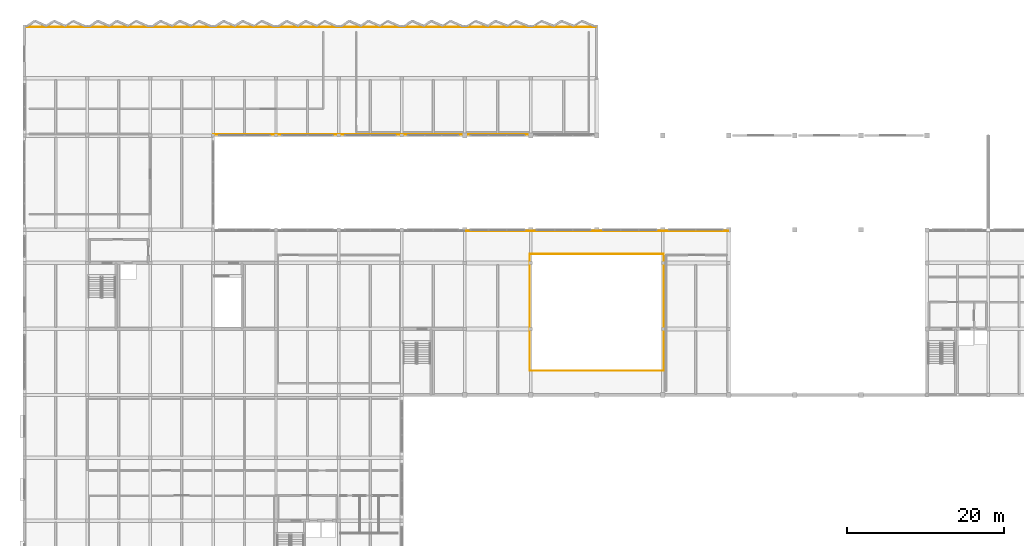
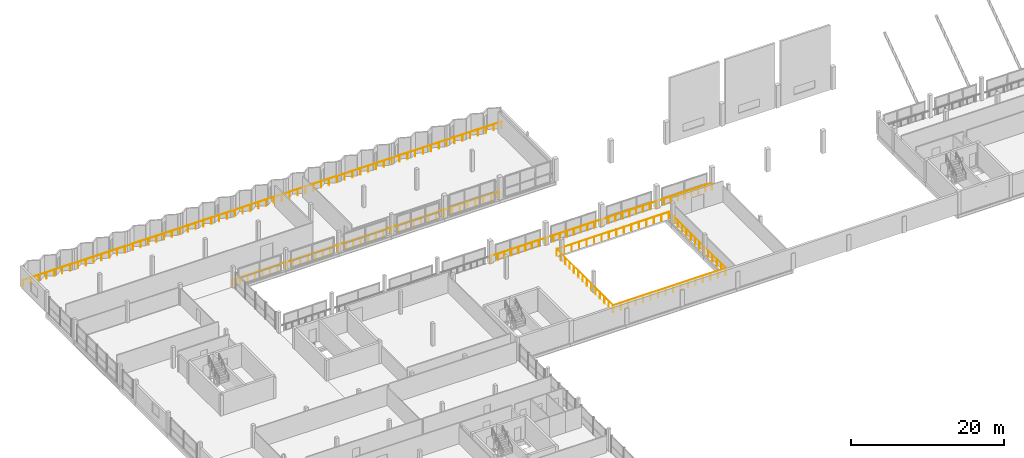
# One storey, part 47 of 51: 18 railings.
"""IFC4 building model written with IfcOpenShell, lengths in metres."""

from ifc_helpers import new_model, si_unit, direction, frame, origin, origin_2d, place, context, subcontext, project, spatial, circle, extrude, material, type_object, element, save


model = new_model("IFC4")

# Units and contexts
model_context = context("Model", 3, precision=1e-05, world=origin(), true_north=direction((0.0, 1.0)))
body_context = subcontext(model_context, "Body", "Model", "MODEL_VIEW")
ifc_project = project(units=[si_unit("LENGTHUNIT", "METRE"), si_unit("AREAUNIT", "SQUARE_METRE"), si_unit("VOLUMEUNIT", "CUBIC_METRE"), si_unit("PLANEANGLEUNIT", "RADIAN"), si_unit("MASSUNIT", "GRAM", prefix="KILO")], contexts=[model_context])

# Site, building, storey
site_placement = place(None, origin())
site = spatial("IfcSite", under=ifc_project, at=site_placement, CompositionType="ELEMENT")
building_placement = place(site_placement, origin())
building = spatial("IfcBuilding", under=site, at=building_placement, Name="Vharandega Faculty of Natural Sciences", CompositionType="ELEMENT")
storey_placement = place(building_placement, frame((0.0, 0.0, 14.39990234375)))
storey = spatial("IfcBuildingStorey", under=building, at=storey_placement, Name="L03", CompositionType="ELEMENT", Elevation=14.39990234375)

# Railings
ifc_material_1 = material(Name="Timber-capped steel and glass balustrade", Category="steel")
railing_type_1 = type_object("IfcRailingType", Name="Atrium Void Balustrade 1100", PredefinedType="BALUSTRADE", material=ifc_material_1)
railing_1_placement = place(storey_placement, frame((56.06494140625, 84.8798828125, 0.0)))
element("IfcRailing", 1, at=railing_1_placement, inside=storey, type_object=railing_type_1, Name="Atrium Glass Balustrade L03 #13", PredefinedType="BALUSTRADE", context=body_context, shape_type="SweptSolid", body=[
    extrude(circle(Radius=0.02392578125, at=origin_2d()), frame((0.0, 0.0, 1.076171875), z_axis=(1.0, 0.0, 0.0), x_axis=(0.0, 1.0, 0.0)), (0.0, 0.0, 1.0), 4.110107421875),
    extrude(circle(Radius=0.02099609375, at=origin_2d()), origin(), (0.0, 0.0, 1.0), 1.052001953125),
    extrude(circle(Radius=0.02099609375, at=origin_2d()), frame((1.027587890625, 0.0, 0.0)), (0.0, 0.0, 1.0), 1.052001953125),
    extrude(circle(Radius=0.02099609375, at=origin_2d()), frame((2.05517578125, 0.0, 0.0)), (0.0, 0.0, 1.0), 1.052001953125),
    extrude(circle(Radius=0.02099609375, at=origin_2d()), frame((3.08251953125, 0.0, 0.0)), (0.0, 0.0, 1.0), 1.052001953125),
    extrude(circle(Radius=0.02099609375, at=origin_2d()), frame((4.110107421875, 0.0, 0.0)), (0.0, 0.0, 1.0), 1.052001953125),
])
for number, where, name in (
    (2, (60.22509765625, 84.8798828125, 0.0), "Atrium Glass Balustrade L03 #14"),
    (3, (64.465087890625, 84.8798828125, 0.0), "Atrium Glass Balustrade L03 #16"),
):
    element("IfcRailing", number, at=place(storey_placement, frame(where)), inside=storey, type_object=railing_type_1, Name=name, PredefinedType="BALUSTRADE", context=body_context, shape_type="SweptSolid", body=[
        extrude(circle(Radius=0.02392578125, at=origin_2d()), frame((0.0, 0.0, 1.076171875), z_axis=(1.0, 0.0, 0.0), x_axis=(0.0, 1.0, 0.0)), (0.0, 0.0, 1.0), 4.10986328125),
        extrude(circle(Radius=0.02099609375, at=origin_2d()), origin(), (0.0, 0.0, 1.0), 1.052001953125),
        extrude(circle(Radius=0.02099609375, at=origin_2d()), frame((1.02734375, 0.0, 0.0)), (0.0, 0.0, 1.0), 1.052001953125),
        extrude(circle(Radius=0.02099609375, at=origin_2d()), frame((2.054931640625, 0.0, 0.0)), (0.0, 0.0, 1.0), 1.052001953125),
        extrude(circle(Radius=0.02099609375, at=origin_2d()), frame((3.08251953125, 0.0, 0.0)), (0.0, 0.0, 1.0), 1.052001953125),
        extrude(circle(Radius=0.02099609375, at=origin_2d()), frame((4.10986328125, 0.0, 0.0)), (0.0, 0.0, 1.0), 1.052001953125),
    ])
for number, where, name in (
    (4, (68.625, 84.8798828125, 0.0), "Atrium Glass Balustrade L03 #17"),
    (5, (72.864990234375, 84.8798828125, 0.0), "Atrium Glass Balustrade L03 #19"),
    (6, (77.02490234375, 84.8798828125, 0.0), "Atrium Glass Balustrade L03 #20"),
    (7, (81.264892578125, 84.8798828125, 0.0), "Atrium Glass Balustrade L03 #22"),
):
    element("IfcRailing", number, at=place(storey_placement, frame(where)), inside=storey, type_object=railing_type_1, Name=name, PredefinedType="BALUSTRADE", context=body_context, shape_type="SweptSolid", body=[
        extrude(circle(Radius=0.02392578125, at=origin_2d()), frame((0.0, 0.0, 1.076171875), z_axis=(1.0, 0.0, 0.0), x_axis=(0.0, 1.0, 0.0)), (0.0, 0.0, 1.0), 4.110107421875),
        extrude(circle(Radius=0.02099609375, at=origin_2d()), origin(), (0.0, 0.0, 1.0), 1.052001953125),
        extrude(circle(Radius=0.02099609375, at=origin_2d()), frame((1.027587890625, 0.0, 0.0)), (0.0, 0.0, 1.0), 1.052001953125),
        extrude(circle(Radius=0.02099609375, at=origin_2d()), frame((2.05517578125, 0.0, 0.0)), (0.0, 0.0, 1.0), 1.052001953125),
        extrude(circle(Radius=0.02099609375, at=origin_2d()), frame((3.08251953125, 0.0, 0.0)), (0.0, 0.0, 1.0), 1.052001953125),
        extrude(circle(Radius=0.02099609375, at=origin_2d()), frame((4.110107421875, 0.0, 0.0)), (0.0, 0.0, 1.0), 1.052001953125),
    ])
railing_2_placement = place(storey_placement, frame((85.425048828125, 84.8798828125, 0.0)))
element("IfcRailing", 8, at=railing_2_placement, inside=storey, type_object=railing_type_1, Name="Atrium Glass Balustrade L03 #23", PredefinedType="BALUSTRADE", context=body_context, shape_type="SweptSolid", body=[
    extrude(circle(Radius=0.02392578125, at=origin_2d()), frame((0.0, 0.0, 1.076171875), z_axis=(1.0, 0.0, 0.0), x_axis=(0.0, 1.0, 0.0)), (0.0, 0.0, 1.0), 4.10986328125),
    extrude(circle(Radius=0.02099609375, at=origin_2d()), origin(), (0.0, 0.0, 1.0), 1.052001953125),
    extrude(circle(Radius=0.02099609375, at=origin_2d()), frame((1.02734375, 0.0, 0.0)), (0.0, 0.0, 1.0), 1.052001953125),
    extrude(circle(Radius=0.02099609375, at=origin_2d()), frame((2.054931640625, 0.0, 0.0)), (0.0, 0.0, 1.0), 1.052001953125),
    extrude(circle(Radius=0.02099609375, at=origin_2d()), frame((3.08251953125, 0.0, 0.0)), (0.0, 0.0, 1.0), 1.052001953125),
    extrude(circle(Radius=0.02099609375, at=origin_2d()), frame((4.10986328125, 0.0, 0.0)), (0.0, 0.0, 1.0), 1.052001953125),
])
for number, where, name in (
    (9, (24.02490234375, 97.1201171875, 0.0), "Commons Courtyard Sill Balustrade L03 #1"),
    (10, (32.02490234375, 97.1201171875, 0.0), "Commons Courtyard Sill Balustrade L03 #2"),
    (11, (40.02490234375, 97.1201171875, 0.0), "Commons Courtyard Sill Balustrade L03 #3"),
    (12, (48.02490234375, 97.1201171875, 0.0), "Commons Courtyard Sill Balustrade L03 #4"),
):
    element("IfcRailing", number, at=place(storey_placement, frame(where)), inside=storey, type_object=railing_type_1, Name=name, PredefinedType="BALUSTRADE", context=body_context, shape_type="SweptSolid", body=[
        extrude(circle(Radius=0.02392578125, at=origin_2d()), frame((0.0, 0.0, 1.076171875), z_axis=(1.0, 0.0, 0.0), x_axis=(0.0, 1.0, 0.0)), (0.0, 0.0, 1.0), 7.9501953125),
        extrude(circle(Radius=0.02099609375, at=origin_2d()), origin(), (0.0, 0.0, 1.0), 1.052001953125),
        extrude(circle(Radius=0.02099609375, at=origin_2d()), frame((1.1357421875, 0.0, 0.0)), (0.0, 0.0, 1.0), 1.052001953125),
        extrude(circle(Radius=0.02099609375, at=origin_2d()), frame((2.271484375, 0.0, 0.0)), (0.0, 0.0, 1.0), 1.052001953125),
        extrude(circle(Radius=0.02099609375, at=origin_2d()), frame((3.4072265625, 0.0, 0.0)), (0.0, 0.0, 1.0), 1.052001953125),
        extrude(circle(Radius=0.02099609375, at=origin_2d()), frame((4.54296875, 0.0, 0.0)), (0.0, 0.0, 1.0), 1.052001953125),
        extrude(circle(Radius=0.02099609375, at=origin_2d()), frame((5.6787109375, 0.0, 0.0)), (0.0, 0.0, 1.0), 1.052001953125),
        extrude(circle(Radius=0.02099609375, at=origin_2d()), frame((6.814453125, 0.0, 0.0)), (0.0, 0.0, 1.0), 1.052001953125),
        extrude(circle(Radius=0.02099609375, at=origin_2d()), frame((7.9501953125, 0.0, 0.0)), (0.0, 0.0, 1.0), 1.052001953125),
    ])
railing_3_placement = place(storey_placement, frame((56.02490234375, 97.1201171875, 0.0)))
element("IfcRailing", 13, at=railing_3_placement, inside=storey, type_object=railing_type_1, Name="Commons Courtyard Sill Balustrade L03 #5", PredefinedType="BALUSTRADE", context=body_context, shape_type="SweptSolid", body=[
    extrude(circle(Radius=0.02392578125, at=origin_2d()), frame((0.0, 0.0, 1.076171875), z_axis=(1.0, 0.0, 0.0), x_axis=(0.0, 1.0, 0.0)), (0.0, 0.0, 1.0), 8.35009765625),
    extrude(circle(Radius=0.02099609375, at=origin_2d()), origin(), (0.0, 0.0, 1.0), 1.052001953125),
    extrude(circle(Radius=0.02099609375, at=origin_2d()), frame((1.19287109375, 0.0, 0.0)), (0.0, 0.0, 1.0), 1.052001953125),
    extrude(circle(Radius=0.02099609375, at=origin_2d()), frame((2.3857421875, 0.0, 0.0)), (0.0, 0.0, 1.0), 1.052001953125),
    extrude(circle(Radius=0.02099609375, at=origin_2d()), frame((3.57861328125, 0.0, 0.0)), (0.0, 0.0, 1.0), 1.052001953125),
    extrude(circle(Radius=0.02099609375, at=origin_2d()), frame((4.771484375, 0.0, 0.0)), (0.0, 0.0, 1.0), 1.052001953125),
    extrude(circle(Radius=0.02099609375, at=origin_2d()), frame((5.96435546875, 0.0, 0.0)), (0.0, 0.0, 1.0), 1.052001953125),
    extrude(circle(Radius=0.02099609375, at=origin_2d()), frame((7.1572265625, 0.0, 0.0)), (0.0, 0.0, 1.0), 1.052001953125),
    extrude(circle(Radius=0.02099609375, at=origin_2d()), frame((8.35009765625, 0.0, 0.0)), (0.0, 0.0, 1.0), 1.052001953125),
])
railing_4_placement = place(storey_placement, frame((64.304931640625, 67.080078125, 0.0)))
element("IfcRailing", 14, at=railing_4_placement, inside=storey, type_object=railing_type_1, Name="Atrium Void Balustrade L03 #1", PredefinedType="BALUSTRADE", context=body_context, shape_type="SweptSolid", body=[
    extrude(circle(Radius=0.02392578125, at=origin_2d()), frame((0.0, 0.0, 1.076171875), z_axis=(1.0, 0.0, 0.0), x_axis=(0.0, 1.0, 0.0)), (0.0, 0.0, 1.0), 16.989990234375),
    extrude(circle(Radius=0.02099609375, at=origin_2d()), origin(), (0.0, 0.0, 1.0), 1.052001953125),
    extrude(circle(Radius=0.02099609375, at=origin_2d()), frame((1.132568359375, 0.0, 0.0)), (0.0, 0.0, 1.0), 1.052001953125),
    extrude(circle(Radius=0.02099609375, at=origin_2d()), frame((2.265380859375, 0.0, 0.0)), (0.0, 0.0, 1.0), 1.052001953125),
    extrude(circle(Radius=0.02099609375, at=origin_2d()), frame((3.39794921875, 0.0, 0.0)), (0.0, 0.0, 1.0), 1.052001953125),
    extrude(circle(Radius=0.02099609375, at=origin_2d()), frame((4.53076171875, 0.0, 0.0)), (0.0, 0.0, 1.0), 1.052001953125),
    extrude(circle(Radius=0.02099609375, at=origin_2d()), frame((5.663330078125, 0.0, 0.0)), (0.0, 0.0, 1.0), 1.052001953125),
    extrude(circle(Radius=0.02099609375, at=origin_2d()), frame((6.7958984375, 0.0, 0.0)), (0.0, 0.0, 1.0), 1.052001953125),
    extrude(circle(Radius=0.02099609375, at=origin_2d()), frame((7.9287109375, 0.0, 0.0)), (0.0, 0.0, 1.0), 1.052001953125),
    extrude(circle(Radius=0.02099609375, at=origin_2d()), frame((9.061279296875, 0.0, 0.0)), (0.0, 0.0, 1.0), 1.052001953125),
    extrude(circle(Radius=0.02099609375, at=origin_2d()), frame((10.194091796875, 0.0, 0.0)), (0.0, 0.0, 1.0), 1.052001953125),
    extrude(circle(Radius=0.02099609375, at=origin_2d()), frame((11.32666015625, 0.0, 0.0)), (0.0, 0.0, 1.0), 1.052001953125),
    extrude(circle(Radius=0.02099609375, at=origin_2d()), frame((12.459228515625, 0.0, 0.0)), (0.0, 0.0, 1.0), 1.052001953125),
    extrude(circle(Radius=0.02099609375, at=origin_2d()), frame((13.592041015625, 0.0, 0.0)), (0.0, 0.0, 1.0), 1.052001953125),
    extrude(circle(Radius=0.02099609375, at=origin_2d()), frame((14.724609375, 0.0, 0.0)), (0.0, 0.0, 1.0), 1.052001953125),
    extrude(circle(Radius=0.02099609375, at=origin_2d()), frame((15.857421875, 0.0, 0.0)), (0.0, 0.0, 1.0), 1.052001953125),
    extrude(circle(Radius=0.02099609375, at=origin_2d()), frame((16.989990234375, 0.0, 0.0)), (0.0, 0.0, 1.0), 1.052001953125),
])
railing_5_placement = place(storey_placement, frame((81.320068359375, 67.10498046875, 0.0)))
element("IfcRailing", 15, at=railing_5_placement, inside=storey, type_object=railing_type_1, Name="Atrium Void Balustrade L03 #2", PredefinedType="BALUSTRADE", context=body_context, shape_type="SweptSolid", body=[
    extrude(circle(Radius=0.02392578125, at=origin_2d()), frame((0.0, 0.0, 1.076171875), z_axis=(0.0, 1.0, 0.0), x_axis=(-1.0, 0.0, 0.0)), (0.0, 0.0, 1.0), 14.7900390625),
    extrude(circle(Radius=0.02099609375, at=origin_2d()), origin(), (0.0, 0.0, 1.0), 1.052001953125),
    extrude(circle(Radius=0.02099609375, at=origin_2d()), frame((0.0, 1.1376953125, 0.0)), (0.0, 0.0, 1.0), 1.052001953125),
    extrude(circle(Radius=0.02099609375, at=origin_2d()), frame((0.0, 2.275390625, 0.0)), (0.0, 0.0, 1.0), 1.052001953125),
    extrude(circle(Radius=0.02099609375, at=origin_2d()), frame((0.0, 3.4130859375, 0.0)), (0.0, 0.0, 1.0), 1.052001953125),
    extrude(circle(Radius=0.02099609375, at=origin_2d()), frame((0.0, 4.55078125, 0.0)), (0.0, 0.0, 1.0), 1.052001953125),
    extrude(circle(Radius=0.02099609375, at=origin_2d()), frame((0.0, 5.6884765625, 0.0)), (0.0, 0.0, 1.0), 1.052001953125),
    extrude(circle(Radius=0.02099609375, at=origin_2d()), frame((0.0, 6.826171875, 0.0)), (0.0, 0.0, 1.0), 1.052001953125),
    extrude(circle(Radius=0.02099609375, at=origin_2d()), frame((0.0, 7.9638671875, 0.0)), (0.0, 0.0, 1.0), 1.052001953125),
    extrude(circle(Radius=0.02099609375, at=origin_2d()), frame((0.0, 9.1015625, 0.0)), (0.0, 0.0, 1.0), 1.052001953125),
    extrude(circle(Radius=0.02099609375, at=origin_2d()), frame((0.0, 10.2392578125, 0.0)), (0.0, 0.0, 1.0), 1.052001953125),
    extrude(circle(Radius=0.02099609375, at=origin_2d()), frame((0.0, 11.376953125, 0.0)), (0.0, 0.0, 1.0), 1.052001953125),
    extrude(circle(Radius=0.02099609375, at=origin_2d()), frame((0.0, 12.5146484375, 0.0)), (0.0, 0.0, 1.0), 1.052001953125),
    extrude(circle(Radius=0.02099609375, at=origin_2d()), frame((0.0, 13.65234375, 0.0)), (0.0, 0.0, 1.0), 1.052001953125),
    extrude(circle(Radius=0.02099609375, at=origin_2d()), frame((0.0, 14.7900390625, 0.0)), (0.0, 0.0, 1.0), 1.052001953125),
])
railing_6_placement = place(storey_placement, frame((81.294921875, 81.919921875, 0.0)))
element("IfcRailing", 16, at=railing_6_placement, inside=storey, type_object=railing_type_1, Name="Atrium Void Balustrade L03 #3", PredefinedType="BALUSTRADE", context=body_context, shape_type="SweptSolid", body=[
    extrude(circle(Radius=0.02392578125, at=origin_2d()), frame((0.0, 0.0, 1.076171875), z_axis=(-1.0, 0.0, 0.0), x_axis=(0.0, -1.0, 0.0)), (0.0, 0.0, 1.0), 16.989990234375),
    extrude(circle(Radius=0.02099609375, at=origin_2d()), origin(), (0.0, 0.0, 1.0), 1.052001953125),
    extrude(circle(Radius=0.02099609375, at=origin_2d()), frame((-1.132568359375, 0.0, 0.0)), (0.0, 0.0, 1.0), 1.052001953125),
    extrude(circle(Radius=0.02099609375, at=origin_2d()), frame((-2.265380859375, 0.0, 0.0)), (0.0, 0.0, 1.0), 1.052001953125),
    extrude(circle(Radius=0.02099609375, at=origin_2d()), frame((-3.39794921875, 0.0, 0.0)), (0.0, 0.0, 1.0), 1.052001953125),
    extrude(circle(Radius=0.02099609375, at=origin_2d()), frame((-4.53076171875, 0.0, 0.0)), (0.0, 0.0, 1.0), 1.052001953125),
    extrude(circle(Radius=0.02099609375, at=origin_2d()), frame((-5.663330078125, 0.0, 0.0)), (0.0, 0.0, 1.0), 1.052001953125),
    extrude(circle(Radius=0.02099609375, at=origin_2d()), frame((-6.7958984375, 0.0, 0.0)), (0.0, 0.0, 1.0), 1.052001953125),
    extrude(circle(Radius=0.02099609375, at=origin_2d()), frame((-7.9287109375, 0.0, 0.0)), (0.0, 0.0, 1.0), 1.052001953125),
    extrude(circle(Radius=0.02099609375, at=origin_2d()), frame((-9.061279296875, 0.0, 0.0)), (0.0, 0.0, 1.0), 1.052001953125),
    extrude(circle(Radius=0.02099609375, at=origin_2d()), frame((-10.194091796875, 0.0, 0.0)), (0.0, 0.0, 1.0), 1.052001953125),
    extrude(circle(Radius=0.02099609375, at=origin_2d()), frame((-11.32666015625, 0.0, 0.0)), (0.0, 0.0, 1.0), 1.052001953125),
    extrude(circle(Radius=0.02099609375, at=origin_2d()), frame((-12.459228515625, 0.0, 0.0)), (0.0, 0.0, 1.0), 1.052001953125),
    extrude(circle(Radius=0.02099609375, at=origin_2d()), frame((-13.592041015625, 0.0, 0.0)), (0.0, 0.0, 1.0), 1.052001953125),
    extrude(circle(Radius=0.02099609375, at=origin_2d()), frame((-14.724609375, 0.0, 0.0)), (0.0, 0.0, 1.0), 1.052001953125),
    extrude(circle(Radius=0.02099609375, at=origin_2d()), frame((-15.857421875, 0.0, 0.0)), (0.0, 0.0, 1.0), 1.052001953125),
    extrude(circle(Radius=0.02099609375, at=origin_2d()), frame((-16.989990234375, 0.0, 0.0)), (0.0, 0.0, 1.0), 1.052001953125),
])
railing_7_placement = place(storey_placement, frame((64.280029296875, 81.89501953125, 0.0)))
element("IfcRailing", 17, at=railing_7_placement, inside=storey, type_object=railing_type_1, Name="Atrium Void Balustrade L03 #4", PredefinedType="BALUSTRADE", context=body_context, shape_type="SweptSolid", body=[
    extrude(circle(Radius=0.02392578125, at=origin_2d()), frame((0.0, 0.0, 1.076171875), z_axis=(0.0, -1.0, 0.0), x_axis=(1.0, 0.0, 0.0)), (0.0, 0.0, 1.0), 14.7900390625),
    extrude(circle(Radius=0.02099609375, at=origin_2d()), origin(), (0.0, 0.0, 1.0), 1.052001953125),
    extrude(circle(Radius=0.02099609375, at=origin_2d()), frame((0.0, -1.1376953125, 0.0)), (0.0, 0.0, 1.0), 1.052001953125),
    extrude(circle(Radius=0.02099609375, at=origin_2d()), frame((0.0, -2.275390625, 0.0)), (0.0, 0.0, 1.0), 1.052001953125),
    extrude(circle(Radius=0.02099609375, at=origin_2d()), frame((0.0, -3.4130859375, 0.0)), (0.0, 0.0, 1.0), 1.052001953125),
    extrude(circle(Radius=0.02099609375, at=origin_2d()), frame((0.0, -4.55078125, 0.0)), (0.0, 0.0, 1.0), 1.052001953125),
    extrude(circle(Radius=0.02099609375, at=origin_2d()), frame((0.0, -5.6884765625, 0.0)), (0.0, 0.0, 1.0), 1.052001953125),
    extrude(circle(Radius=0.02099609375, at=origin_2d()), frame((0.0, -6.826171875, 0.0)), (0.0, 0.0, 1.0), 1.052001953125),
    extrude(circle(Radius=0.02099609375, at=origin_2d()), frame((0.0, -7.9638671875, 0.0)), (0.0, 0.0, 1.0), 1.052001953125),
    extrude(circle(Radius=0.02099609375, at=origin_2d()), frame((0.0, -9.1015625, 0.0)), (0.0, 0.0, 1.0), 1.052001953125),
    extrude(circle(Radius=0.02099609375, at=origin_2d()), frame((0.0, -10.2392578125, 0.0)), (0.0, 0.0, 1.0), 1.052001953125),
    extrude(circle(Radius=0.02099609375, at=origin_2d()), frame((0.0, -11.376953125, 0.0)), (0.0, 0.0, 1.0), 1.052001953125),
    extrude(circle(Radius=0.02099609375, at=origin_2d()), frame((0.0, -12.5146484375, 0.0)), (0.0, 0.0, 1.0), 1.052001953125),
    extrude(circle(Radius=0.02099609375, at=origin_2d()), frame((0.0, -13.65234375, 0.0)), (0.0, 0.0, 1.0), 1.052001953125),
    extrude(circle(Radius=0.02099609375, at=origin_2d()), frame((0.0, -14.7900390625, 0.0)), (0.0, 0.0, 1.0), 1.052001953125),
])
ifc_material_2 = material(Name="Galvanised painted steel balustrade", Category="steel")
railing_type_2 = type_object("IfcRailingType", Name="Terrace Steel Guardrail 1100", PredefinedType="GUARDRAIL", material=ifc_material_2)
railing_8_placement = place(storey_placement, frame((0.175048828125, 110.800048828125, 0.0)))
element("IfcRailing", 18, at=railing_8_placement, inside=storey, type_object=railing_type_2, Name="Commons North Sill Guard L03 #1", PredefinedType="GUARDRAIL", context=body_context, shape_type="SweptSolid", body=[
    extrude(circle(Radius=0.02392578125, at=origin_2d()), frame((0.0, 0.0, 1.076171875), z_axis=(1.0, 0.0, 0.0), x_axis=(0.0, 1.0, 0.0)), (0.0, 0.0, 1.0), 72.449951171875),
    extrude(circle(Radius=0.02099609375, at=origin_2d()), origin(), (0.0, 0.0, 1.0), 1.052001953125),
    extrude(circle(Radius=0.02099609375, at=origin_2d()), frame((1.187744140625, 0.0, 0.0)), (0.0, 0.0, 1.0), 1.052001953125),
    extrude(circle(Radius=0.02099609375, at=origin_2d()), frame((2.37548828125, 0.0, 0.0)), (0.0, 0.0, 1.0), 1.052001953125),
    extrude(circle(Radius=0.02099609375, at=origin_2d()), frame((3.563232421875, 0.0, 0.0)), (0.0, 0.0, 1.0), 1.052001953125),
    extrude(circle(Radius=0.02099609375, at=origin_2d()), frame((4.750732421875, 0.0, 0.0)), (0.0, 0.0, 1.0), 1.052001953125),
    extrude(circle(Radius=0.02099609375, at=origin_2d()), frame((5.9384765625, 0.0, 0.0)), (0.0, 0.0, 1.0), 1.052001953125),
    extrude(circle(Radius=0.02099609375, at=origin_2d()), frame((7.126220703125, 0.0, 0.0)), (0.0, 0.0, 1.0), 1.052001953125),
    extrude(circle(Radius=0.02099609375, at=origin_2d()), frame((8.31396484375, 0.0, 0.0)), (0.0, 0.0, 1.0), 1.052001953125),
    extrude(circle(Radius=0.02099609375, at=origin_2d()), frame((9.501708984375, 0.0, 0.0)), (0.0, 0.0, 1.0), 1.052001953125),
    extrude(circle(Radius=0.02099609375, at=origin_2d()), frame((10.689453125, 0.0, 0.0)), (0.0, 0.0, 1.0), 1.052001953125),
    extrude(circle(Radius=0.02099609375, at=origin_2d()), frame((11.876953125, 0.0, 0.0)), (0.0, 0.0, 1.0), 1.052001953125),
    extrude(circle(Radius=0.02099609375, at=origin_2d()), frame((13.064697265625, 0.0, 0.0)), (0.0, 0.0, 1.0), 1.052001953125),
    extrude(circle(Radius=0.02099609375, at=origin_2d()), frame((14.25244140625, 0.0, 0.0)), (0.0, 0.0, 1.0), 1.052001953125),
    extrude(circle(Radius=0.02099609375, at=origin_2d()), frame((15.440185546875, 0.0, 0.0)), (0.0, 0.0, 1.0), 1.052001953125),
    extrude(circle(Radius=0.02099609375, at=origin_2d()), frame((16.6279296875, 0.0, 0.0)), (0.0, 0.0, 1.0), 1.052001953125),
    extrude(circle(Radius=0.02099609375, at=origin_2d()), frame((17.815673828125, 0.0, 0.0)), (0.0, 0.0, 1.0), 1.052001953125),
    extrude(circle(Radius=0.02099609375, at=origin_2d()), frame((19.003173828125, 0.0, 0.0)), (0.0, 0.0, 1.0), 1.052001953125),
    extrude(circle(Radius=0.02099609375, at=origin_2d()), frame((20.19091796875, 0.0, 0.0)), (0.0, 0.0, 1.0), 1.052001953125),
    extrude(circle(Radius=0.02099609375, at=origin_2d()), frame((21.378662109375, 0.0, 0.0)), (0.0, 0.0, 1.0), 1.052001953125),
    extrude(circle(Radius=0.02099609375, at=origin_2d()), frame((22.56640625, 0.0, 0.0)), (0.0, 0.0, 1.0), 1.052001953125),
    extrude(circle(Radius=0.02099609375, at=origin_2d()), frame((23.754150390625, 0.0, 0.0)), (0.0, 0.0, 1.0), 1.052001953125),
    extrude(circle(Radius=0.02099609375, at=origin_2d()), frame((24.94189453125, 0.0, 0.0)), (0.0, 0.0, 1.0), 1.052001953125),
    extrude(circle(Radius=0.02099609375, at=origin_2d()), frame((26.12939453125, 0.0, 0.0)), (0.0, 0.0, 1.0), 1.052001953125),
    extrude(circle(Radius=0.02099609375, at=origin_2d()), frame((27.317138671875, 0.0, 0.0)), (0.0, 0.0, 1.0), 1.052001953125),
    extrude(circle(Radius=0.02099609375, at=origin_2d()), frame((28.5048828125, 0.0, 0.0)), (0.0, 0.0, 1.0), 1.052001953125),
    extrude(circle(Radius=0.02099609375, at=origin_2d()), frame((29.692626953125, 0.0, 0.0)), (0.0, 0.0, 1.0), 1.052001953125),
    extrude(circle(Radius=0.02099609375, at=origin_2d()), frame((30.88037109375, 0.0, 0.0)), (0.0, 0.0, 1.0), 1.052001953125),
    extrude(circle(Radius=0.02099609375, at=origin_2d()), frame((32.068115234375, 0.0, 0.0)), (0.0, 0.0, 1.0), 1.052001953125),
    extrude(circle(Radius=0.02099609375, at=origin_2d()), frame((33.255615234375, 0.0, 0.0)), (0.0, 0.0, 1.0), 1.052001953125),
    extrude(circle(Radius=0.02099609375, at=origin_2d()), frame((34.443359375, 0.0, 0.0)), (0.0, 0.0, 1.0), 1.052001953125),
    extrude(circle(Radius=0.02099609375, at=origin_2d()), frame((35.631103515625, 0.0, 0.0)), (0.0, 0.0, 1.0), 1.052001953125),
    extrude(circle(Radius=0.02099609375, at=origin_2d()), frame((36.81884765625, 0.0, 0.0)), (0.0, 0.0, 1.0), 1.052001953125),
    extrude(circle(Radius=0.02099609375, at=origin_2d()), frame((38.006591796875, 0.0, 0.0)), (0.0, 0.0, 1.0), 1.052001953125),
    extrude(circle(Radius=0.02099609375, at=origin_2d()), frame((39.1943359375, 0.0, 0.0)), (0.0, 0.0, 1.0), 1.052001953125),
    extrude(circle(Radius=0.02099609375, at=origin_2d()), frame((40.3818359375, 0.0, 0.0)), (0.0, 0.0, 1.0), 1.052001953125),
    extrude(circle(Radius=0.02099609375, at=origin_2d()), frame((41.569580078125, 0.0, 0.0)), (0.0, 0.0, 1.0), 1.052001953125),
    extrude(circle(Radius=0.02099609375, at=origin_2d()), frame((42.75732421875, 0.0, 0.0)), (0.0, 0.0, 1.0), 1.052001953125),
    extrude(circle(Radius=0.02099609375, at=origin_2d()), frame((43.945068359375, 0.0, 0.0)), (0.0, 0.0, 1.0), 1.052001953125),
    extrude(circle(Radius=0.02099609375, at=origin_2d()), frame((45.1328125, 0.0, 0.0)), (0.0, 0.0, 1.0), 1.052001953125),
    extrude(circle(Radius=0.02099609375, at=origin_2d()), frame((46.320556640625, 0.0, 0.0)), (0.0, 0.0, 1.0), 1.052001953125),
    extrude(circle(Radius=0.02099609375, at=origin_2d()), frame((47.508056640625, 0.0, 0.0)), (0.0, 0.0, 1.0), 1.052001953125),
    extrude(circle(Radius=0.02099609375, at=origin_2d()), frame((48.69580078125, 0.0, 0.0)), (0.0, 0.0, 1.0), 1.052001953125),
    extrude(circle(Radius=0.02099609375, at=origin_2d()), frame((49.883544921875, 0.0, 0.0)), (0.0, 0.0, 1.0), 1.052001953125),
    extrude(circle(Radius=0.02099609375, at=origin_2d()), frame((51.0712890625, 0.0, 0.0)), (0.0, 0.0, 1.0), 1.052001953125),
    extrude(circle(Radius=0.02099609375, at=origin_2d()), frame((52.259033203125, 0.0, 0.0)), (0.0, 0.0, 1.0), 1.052001953125),
    extrude(circle(Radius=0.02099609375, at=origin_2d()), frame((53.44677734375, 0.0, 0.0)), (0.0, 0.0, 1.0), 1.052001953125),
    extrude(circle(Radius=0.02099609375, at=origin_2d()), frame((54.63427734375, 0.0, 0.0)), (0.0, 0.0, 1.0), 1.052001953125),
    extrude(circle(Radius=0.02099609375, at=origin_2d()), frame((55.822021484375, 0.0, 0.0)), (0.0, 0.0, 1.0), 1.052001953125),
    extrude(circle(Radius=0.02099609375, at=origin_2d()), frame((57.009765625, 0.0, 0.0)), (0.0, 0.0, 1.0), 1.052001953125),
    extrude(circle(Radius=0.02099609375, at=origin_2d()), frame((58.197509765625, 0.0, 0.0)), (0.0, 0.0, 1.0), 1.052001953125),
    extrude(circle(Radius=0.02099609375, at=origin_2d()), frame((59.38525390625, 0.0, 0.0)), (0.0, 0.0, 1.0), 1.052001953125),
    extrude(circle(Radius=0.02099609375, at=origin_2d()), frame((60.572998046875, 0.0, 0.0)), (0.0, 0.0, 1.0), 1.052001953125),
    extrude(circle(Radius=0.02099609375, at=origin_2d()), frame((61.760498046875, 0.0, 0.0)), (0.0, 0.0, 1.0), 1.052001953125),
    extrude(circle(Radius=0.02099609375, at=origin_2d()), frame((62.9482421875, 0.0, 0.0)), (0.0, 0.0, 1.0), 1.052001953125),
    extrude(circle(Radius=0.02099609375, at=origin_2d()), frame((64.135986328125, 0.0, 0.0)), (0.0, 0.0, 1.0), 1.052001953125),
    extrude(circle(Radius=0.02099609375, at=origin_2d()), frame((65.32373046875, 0.0, 0.0)), (0.0, 0.0, 1.0), 1.052001953125),
    extrude(circle(Radius=0.02099609375, at=origin_2d()), frame((66.511474609375, 0.0, 0.0)), (0.0, 0.0, 1.0), 1.052001953125),
    extrude(circle(Radius=0.02099609375, at=origin_2d()), frame((67.69921875, 0.0, 0.0)), (0.0, 0.0, 1.0), 1.052001953125),
    extrude(circle(Radius=0.02099609375, at=origin_2d()), frame((68.88671875, 0.0, 0.0)), (0.0, 0.0, 1.0), 1.052001953125),
    extrude(circle(Radius=0.02099609375, at=origin_2d()), frame((70.074462890625, 0.0, 0.0)), (0.0, 0.0, 1.0), 1.052001953125),
    extrude(circle(Radius=0.02099609375, at=origin_2d()), frame((71.26220703125, 0.0, 0.0)), (0.0, 0.0, 1.0), 1.052001953125),
    extrude(circle(Radius=0.02099609375, at=origin_2d()), frame((72.449951171875, 0.0, 0.0)), (0.0, 0.0, 1.0), 1.052001953125),
])

save(model, "model.ifc")
